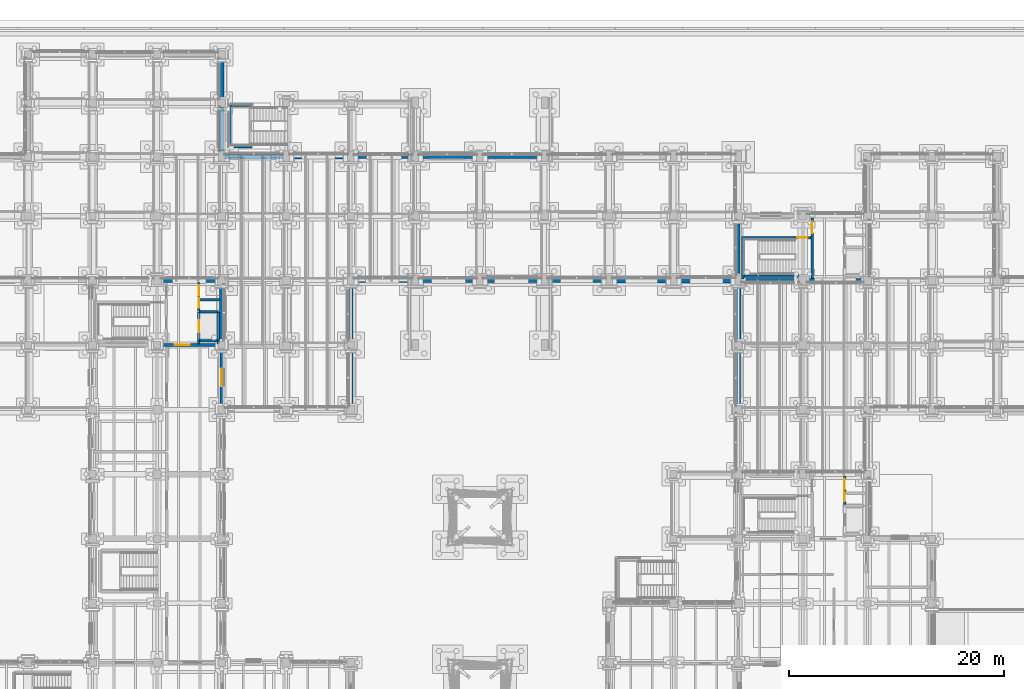
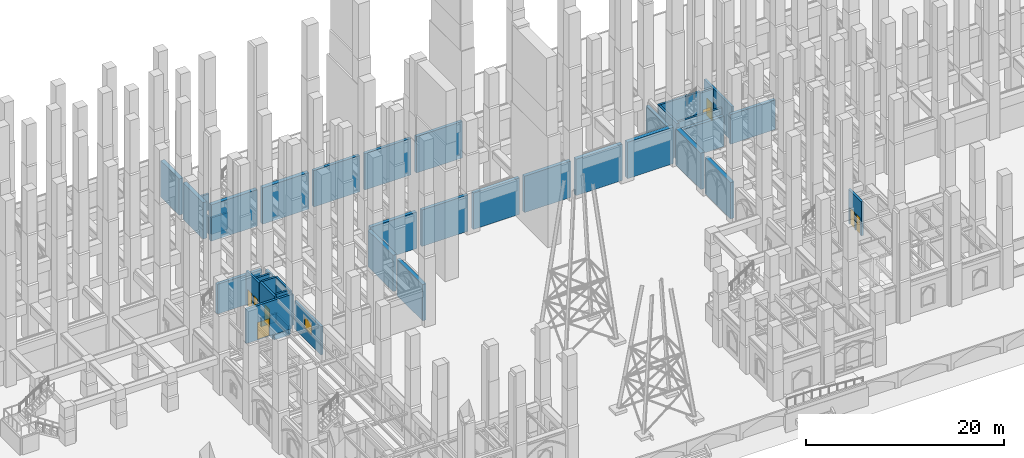
# One storey, part 65 of 135: 43 walls, 8 doors, 1 window, 9 openings.
"""IFC4 building model written with IfcOpenShell, lengths in metres."""

from ifc_helpers import new_model, si_unit, direction, frame, frame_2d, origin, place, context, subcontext, project, spatial, rectangle, extrude, material, layer, layer_set, type_object, element, fill, save


model = new_model("IFC4")

# Units and contexts
model_context = context("Model", 3, precision=1e-05, world=origin(), true_north=direction((0.0, 1.0)))
body_context = subcontext(model_context, "Body", "Model", "MODEL_VIEW")
ifc_project = project(units=[si_unit("LENGTHUNIT", "METRE"), si_unit("AREAUNIT", "SQUARE_METRE"), si_unit("VOLUMEUNIT", "CUBIC_METRE"), si_unit("PLANEANGLEUNIT", "RADIAN"), si_unit("MASSUNIT", "GRAM", prefix="KILO")], contexts=[model_context])

# Site, building, storey
site_placement = place(None, origin())
site = spatial("IfcSite", under=ifc_project, at=site_placement, CompositionType="ELEMENT")
building_placement = place(site_placement, origin())
building = spatial("IfcBuilding", under=site, at=building_placement, Name="Cumevento Cable Car Station", CompositionType="ELEMENT")
storey_placement = place(building_placement, origin())
storey = spatial("IfcBuildingStorey", under=building, at=storey_placement, Name="L01", CompositionType="ELEMENT", Elevation=0.0)

# Wall, opening, window
ifc_material_1 = material(Name="Gnaisse Facoidal Stone Ashlar 85 MPa", Category="masonry")
ifc_layer_1 = layer(ifc_material_1, 0.264892578125)
ifc_layer_set_1 = layer_set([ifc_layer_1], Name="Gnaisse Facoidal Stone Ashlar 85 MPa")
wall_type_1 = type_object("IfcWallType", Name="Exterior Envelope Wall EW-265 265", PredefinedType="SOLIDWALL", material=ifc_layer_set_1)
wall_1_placement = place(storey_placement, frame((70.0, 38.675048828125, 0.0), z_axis=(0.0, 0.0, 1.0), x_axis=(0.0, -1.0, 0.0)))
wall_1 = element("IfcWall", 1, at=wall_1_placement, inside=storey, type_object=wall_type_1, Name="Exterior Wall EW-265 L01 #39", PredefinedType="SOLIDWALL", context=body_context, shape_type="SweptSolid", body=[
    extrude(rectangle(XDim=5.324951171875, YDim=0.264892578125, at=frame_2d((2.66259765625, 0.0))), origin(), (0.0, 0.0, 1.0), 3.501953125),
])
opening_1_placement = place(wall_1_placement, frame((1.9375, 0.0, 1.300048828125)))
opening_1 = element("IfcOpeningElement", 2, at=opening_1_placement, cuts=wall_1, Name="Opening WN-L01-020", PredefinedType="OPENING", context=body_context, shape_type="SweptSolid", body=[
    extrude(rectangle(XDim=1.449951171875, YDim=1.449951171875, at=frame_2d((0.72509765625, 0.72509765625))), frame((0.0, 0.142333984375, 0.0), z_axis=(0.0, -1.0, 0.0), x_axis=(1.0, 0.0, 0.0)), (0.0, 0.0, 1.0), 0.284912109375),
])
ifc_material_2 = material(Name="Anodised Bronze Aluminium & Laminated Solar Glass", Category="aluminium")
window_type = type_object("IfcWindowType", Name="Lancet Window WN-20 1450x1450", PartitioningType="SINGLE_PANEL", PredefinedType="WINDOW", material=ifc_material_2)
window_placement = place(opening_1_placement, origin())
window = element("IfcWindow", 3, at=window_placement, inside=storey, type_object=window_type, Name="Lancet Window WN-L01-020 (WN-20)", OverallHeight=1.449951171875, OverallWidth=1.449951171875, PartitioningType="SINGLE_PANEL", PredefinedType="WINDOW", context=body_context, shape_type="SweptSolid", body=[
    extrude(rectangle(XDim=1.449951171875, YDim=1.449951171875, at=frame_2d((0.72509765625, 0.72509765625))), frame((0.0, 0.030029296875, 0.0), z_axis=(0.0, -1.0, 0.0), x_axis=(1.0, 0.0, 0.0)), (0.0, 0.0, 1.0), 0.06005859375),
])
fill(opening_1, window)

# Walls
ifc_material_3 = material(Name="Concrete C40/50", Category="concrete")
ifc_layer_2 = layer(ifc_material_3, 0.35498046875)
ifc_layer_set_2 = layer_set([ifc_layer_2], Name="Concrete C40/50")
wall_type_2 = type_object("IfcWallType", Name="Exterior Envelope Wall EW-355 355", PredefinedType="SOLIDWALL", material=ifc_layer_set_2)
wall_2_placement = place(storey_placement, frame((64.39990234375, 45.0, 0.0), z_axis=(0.0, 0.0, 1.0), x_axis=(1.0, 0.0, 0.0)))
element("IfcWall", 4, at=wall_2_placement, inside=storey, type_object=wall_type_2, Name="Exterior Wall EW-355 L01 #41", PredefinedType="SOLIDWALL", context=body_context, shape_type="SweptSolid", body=[
    extrude(rectangle(XDim=5.2001953125, YDim=0.35498046875, at=frame_2d((2.60009765625, 0.0))), origin(), (0.0, 0.0, 1.0), 3.697021484375),
])
wall_3_placement = place(storey_placement, frame((70.0, 44.60009765625, 0.0), z_axis=(0.0, 0.0, 1.0), x_axis=(0.0, -1.0, 0.0)))
element("IfcWall", 5, at=wall_3_placement, inside=storey, type_object=wall_type_2, Name="Exterior Wall EW-355 L01 #43", PredefinedType="SOLIDWALL", context=body_context, shape_type="SweptSolid", body=[
    extrude(rectangle(XDim=5.275146484375, YDim=0.35498046875, at=frame_2d((2.6376953125, 0.0))), origin(), (0.0, 0.0, 1.0), 3.756103515625),
])
wall_4_placement = place(storey_placement, frame((123.60009765625, 45.0, 0.0), z_axis=(0.0, 0.0, 1.0), x_axis=(-1.0, 0.0, 0.0)))
element("IfcWall", 6, at=wall_4_placement, inside=storey, type_object=wall_type_2, Name="Exterior Wall EW-355 L01 #75", PredefinedType="SOLIDWALL", context=body_context, shape_type="SweptSolid", body=[
    extrude(rectangle(XDim=5.300048828125, YDim=0.35498046875, at=frame_2d((2.64990234375, 0.0))), origin(), (0.0, 0.0, 1.0), 3.7470703125),
])
wall_5_placement = place(storey_placement, frame((129.625, 45.0, 0.0), z_axis=(0.0, 0.0, 1.0), x_axis=(-1.0, 0.0, 0.0)))
element("IfcWall", 7, at=wall_5_placement, inside=storey, type_object=wall_type_2, Name="Exterior Wall EW-355 L01 #77", PredefinedType="SOLIDWALL", context=body_context, shape_type="SweptSolid", body=[
    extrude(rectangle(XDim=5.22509765625, YDim=0.35498046875, at=frame_2d((2.612548828125, 0.0))), origin(), (0.0, 0.0, 1.0), 3.6708984375),
])
wall_6_placement = place(storey_placement, frame((118.0, 45.52490234375, 0.0), z_axis=(0.0, 0.0, 1.0), x_axis=(0.0, 1.0, 0.0)))
element("IfcWall", 8, at=wall_6_placement, inside=storey, type_object=wall_type_2, Name="Exterior Wall EW-355 L01 #79", PredefinedType="SOLIDWALL", context=body_context, shape_type="SweptSolid", body=[
    extrude(rectangle(XDim=5.10009765625, YDim=0.35498046875, at=frame_2d((2.550048828125, 0.0))), origin(), (0.0, 0.0, 1.0), 3.56005859375),
])
ifc_material_4 = material(Name="Concrete C40/50", Category="concrete")
ifc_layer_3 = layer(ifc_material_4, 0.22998046875)
ifc_layer_set_3 = layer_set([ifc_layer_3], Name="Concrete C40/50")
wall_type_3 = type_object("IfcWallType", Name="Interior Shear Wall CW-230 230", PredefinedType="SHEAR", material=ifc_layer_set_3)
wall_7_placement = place(storey_placement, frame((67.8798828125, 39.419921875, -1.050048828125), z_axis=(0.0, 0.0, 1.0), x_axis=(1.0, 0.0, 0.0)))
element("IfcWall", 9, at=wall_7_placement, inside=storey, type_object=wall_type_3, Name="Interior Wall CW-230 L01 #133", PredefinedType="SHEAR", context=body_context, shape_type="SweptSolid", body=[
    extrude(rectangle(XDim=1.820068359375, YDim=0.22998046875, at=frame_2d((0.91015625, 0.0))), origin(), (0.0, 0.0, 1.0), 1.050048828125),
])
wall_8_placement = place(storey_placement, frame((69.699951171875, 39.419921875, -1.050048828125), z_axis=(0.0, 0.0, 1.0), x_axis=(0.0, 1.0, 0.0)))
element("IfcWall", 10, at=wall_8_placement, inside=storey, type_object=wall_type_3, Name="Interior Wall CW-230 L01 #134", PredefinedType="SHEAR", context=body_context, shape_type="SweptSolid", body=[
    extrude(rectangle(XDim=2.66015625, YDim=0.22998046875, at=frame_2d((1.330078125, 0.0))), origin(), (0.0, 0.0, 1.0), 1.050048828125),
])
wall_9_placement = place(storey_placement, frame((69.699951171875, 42.080078125, -1.050048828125), z_axis=(0.0, 0.0, 1.0), x_axis=(-1.0, 0.0, 0.0)))
element("IfcWall", 11, at=wall_9_placement, inside=storey, type_object=wall_type_3, Name="Interior Wall CW-230 L01 #135", PredefinedType="SHEAR", context=body_context, shape_type="SweptSolid", body=[
    extrude(rectangle(XDim=1.820068359375, YDim=0.22998046875, at=frame_2d((0.91015625, 0.0))), origin(), (0.0, 0.0, 1.0), 1.050048828125),
])
wall_10_placement = place(storey_placement, frame((67.8798828125, 42.080078125, -1.050048828125), z_axis=(0.0, 0.0, 1.0), x_axis=(0.0, -1.0, 0.0)))
element("IfcWall", 12, at=wall_10_placement, inside=storey, type_object=wall_type_3, Name="Interior Wall CW-230 L01 #136", PredefinedType="SHEAR", context=body_context, shape_type="SweptSolid", body=[
    extrude(rectangle(XDim=2.66015625, YDim=0.22998046875, at=frame_2d((1.330078125, 0.0))), origin(), (0.0, 0.0, 1.0), 1.050048828125),
])
wall_11_placement = place(storey_placement, frame((68.0048828125, 39.419921875, 0.0), z_axis=(0.0, 0.0, 1.0), x_axis=(1.0, 0.0, 0.0)))
element("IfcWall", 13, at=wall_11_placement, inside=storey, type_object=wall_type_3, Name="Interior Wall CW-230 L01 #149", PredefinedType="SHEAR", context=body_context, shape_type="SweptSolid", body=[
    extrude(rectangle(XDim=1.580078125, YDim=0.22998046875, at=frame_2d((0.7900390625, 0.0))), origin(), (0.0, 0.0, 1.0), 4.5),
])
wall_12_placement = place(storey_placement, frame((69.699951171875, 39.114990234375, 0.0), z_axis=(0.0, 0.0, 1.0), x_axis=(0.0, 1.0, 0.0)))
element("IfcWall", 14, at=wall_12_placement, inside=storey, type_object=wall_type_3, Name="Interior Wall CW-230 L01 #150", PredefinedType="SHEAR", context=body_context, shape_type="SweptSolid", body=[
    extrude(rectangle(XDim=2.965087890625, YDim=0.22998046875, at=frame_2d((1.482421875, 0.0))), origin(), (0.0, 0.0, 1.0), 4.5),
])
wall_13_placement = place(storey_placement, frame((68.0048828125, 42.080078125, 0.0), z_axis=(0.0, 0.0, 1.0), x_axis=(1.0, 0.0, 0.0)))
element("IfcWall", 15, at=wall_13_placement, inside=storey, type_object=wall_type_3, Name="Interior Wall CW-230 L01 #151", PredefinedType="SHEAR", context=body_context, shape_type="SweptSolid", body=[
    extrude(rectangle(XDim=1.580078125, YDim=0.22998046875, at=frame_2d((0.7900390625, 0.0))), origin(), (0.0, 0.0, 1.0), 4.5),
])
wall_14_placement = place(storey_placement, frame((68.0048828125, 43.219970703125, 0.0), z_axis=(0.0, 0.0, 1.0), x_axis=(1.0, 0.0, 0.0)))
element("IfcWall", 16, at=wall_14_placement, inside=storey, type_object=wall_type_3, Name="Interior Wall CW-230 L01 #153", PredefinedType="SHEAR", context=body_context, shape_type="SweptSolid", body=[
    extrude(rectangle(XDim=1.820068359375, YDim=0.22998046875, at=frame_2d((0.91015625, 0.0))), origin(), (0.0, 0.0, 1.0), 4.239990234375),
])
wall_15_placement = place(storey_placement, frame((118.405029296875, 45.114990234375, 0.0), z_axis=(0.0, 0.0, 1.0), x_axis=(0.0, 1.0, 0.0)))
element("IfcWall", 17, at=wall_15_placement, inside=storey, type_object=wall_type_3, Name="Interior Wall CW-230 L01 #470", PredefinedType="SHEAR", context=body_context, shape_type="SweptSolid", body=[
    extrude(rectangle(XDim=3.735107421875, YDim=0.22998046875, at=frame_2d((1.86767578125, 0.0))), origin(), (0.0, 0.0, 1.0), 4.5),
])
wall_16_placement = place(storey_placement, frame((118.52001953125, 45.405029296875, 0.0), z_axis=(0.0, 0.0, 1.0), x_axis=(1.0, 0.0, 0.0)))
element("IfcWall", 18, at=wall_16_placement, inside=storey, type_object=wall_type_3, Name="Interior Wall CW-230 L01 #471", PredefinedType="SHEAR", context=body_context, shape_type="SweptSolid", body=[
    extrude(rectangle(XDim=5.1298828125, YDim=0.22998046875, at=frame_2d((2.56494140625, 0.0))), origin(), (0.0, 0.0, 1.0), 4.5),
])
wall_17_placement = place(storey_placement, frame((70.780029296875, 57.429931640625, 0.0), z_axis=(0.0, 0.0, 1.0), x_axis=(0.0, 1.0, 0.0)))
element("IfcWall", 19, at=wall_17_placement, inside=storey, type_object=wall_type_3, Name="Interior Wall CW-230 L01 #554", PredefinedType="SHEAR", context=body_context, shape_type="SweptSolid", body=[
    extrude(rectangle(XDim=3.840087890625, YDim=0.22998046875, at=frame_2d((1.919921875, 0.0))), origin(), (0.0, 0.0, 1.0), 2.04296875),
])
for number, where, z_axis, x_axis, name in (
    (20, (70.89990234375, 57.429931640625, 0.0), (0.0, 0.0, 1.0), (1.0, 0.0, 0.0), "Interior Wall CW-230 L01 #555"),
    (21, (70.89990234375, 61.27001953125, 0.0), (0.0, 0.0, 1.0), (1.0, 0.0, 0.0), "Interior Wall CW-230 L01 #556"),
):
    element("IfcWall", number, at=place(storey_placement, frame(where, z_axis=z_axis, x_axis=x_axis)), inside=storey, type_object=wall_type_3, Name=name, PredefinedType="SHEAR", context=body_context, shape_type="SweptSolid", body=[
        extrude(rectangle(XDim=1.940185546875, YDim=0.22998046875, at=frame_2d((0.97021484375, 0.0))), origin(), (0.0, 0.0, 1.0), 2.04296875),
    ])

# Wall, opening, door
ifc_material_5 = material(Name="Concrete C40/50", Category="concrete")
ifc_layer_4 = layer(ifc_material_5, 0.25)
ifc_layer_set_4 = layer_set([ifc_layer_4], Name="Concrete C40/50")
wall_type_4 = type_object("IfcWallType", Name="Interior Shear Wall CW-250 250", PredefinedType="SHEAR", material=ifc_layer_set_4)
wall_18_placement = place(storey_placement, frame((67.8798828125, 39.114990234375, 0.0), z_axis=(0.0, 0.0, 1.0), x_axis=(0.0, 1.0, 0.0)))
wall_18 = element("IfcWall", 22, at=wall_18_placement, inside=storey, type_object=wall_type_4, Name="Interior Wall CW-250 L01 #148", PredefinedType="SHEAR", context=body_context, shape_type="SweptSolid", body=[
    extrude(rectangle(XDim=2.965087890625, YDim=0.25, at=frame_2d((1.482421875, 0.0))), origin(), (0.0, 0.0, 1.0), 4.5),
])
opening_2_placement = place(wall_18_placement, frame((1.094970703125, 0.0, 0.0)))
opening_2 = element("IfcOpeningElement", 23, at=opening_2_placement, cuts=wall_18, Name="Opening LD-LF01-L01", PredefinedType="OPENING", context=body_context, shape_type="SweptSolid", body=[
    extrude(rectangle(XDim=1.080078125, YDim=2.14990234375, at=frame_2d((0.5400390625, 1.074951171875))), frame((0.0, 0.135009765625, 0.0), z_axis=(0.0, -1.0, 0.0), x_axis=(1.0, 0.0, 0.0)), (0.0, 0.0, 1.0), 0.27001953125),
])
ifc_material_6 = material(Name="Brushed Stainless Steel Lift Door", Category="steel")
door_type_1 = type_object("IfcDoorType", Name="Interior Door LD-01 1080x2150", OperationType="NOTDEFINED", PredefinedType="DOOR", material=ifc_material_6)
door_1_placement = place(opening_2_placement, origin())
door_1 = element("IfcDoor", 24, at=door_1_placement, inside=storey, type_object=door_type_1, Name="Lift Landing Door LD-LF01-L01", OperationType="DOUBLE_DOOR_SLIDING", OverallHeight=2.14990234375, OverallWidth=1.080078125, PredefinedType="DOOR", context=body_context, shape_type="SweptSolid", body=[
    extrude(rectangle(XDim=1.080078125, YDim=2.14990234375, at=frame_2d((0.5400390625, 1.074951171875))), frame((0.0, 0.02490234375, 0.0), z_axis=(0.0, -1.0, 0.0), x_axis=(1.0, 0.0, 0.0)), (0.0, 0.0, 1.0), 0.050048828125),
])
fill(opening_2, door_1)

# Wall, openings, doors
wall_19_placement = place(storey_placement, frame((67.8798828125, 42.199951171875, 0.0), z_axis=(0.0, 0.0, 1.0), x_axis=(0.0, 1.0, 0.0)))
wall_19 = element("IfcWall", 25, at=wall_19_placement, inside=storey, type_object=wall_type_4, Name="Interior Wall CW-250 L01 #152", PredefinedType="SHEAR", context=body_context, shape_type="SweptSolid", body=[
    extrude(rectangle(XDim=2.625, YDim=0.25, at=frame_2d((1.3125, 0.0))), origin(), (0.0, 0.0, 1.0), 4.239990234375),
])
opening_3_placement = place(wall_19_placement, frame((0.280029296875, 0.0, 0.0)))
opening_3 = element("IfcOpeningElement", 26, at=opening_3_placement, cuts=wall_19, Name="Opening DR-L01-006", PredefinedType="OPENING", context=body_context, shape_type="SweptSolid", body=[
    extrude(rectangle(XDim=0.8798828125, YDim=2.080078125, at=frame_2d((0.43994140625, 1.0400390625))), frame((0.0, 0.135009765625, 0.0), z_axis=(0.0, -1.0, 0.0), x_axis=(1.0, 0.0, 0.0)), (0.0, 0.0, 1.0), 0.27001953125),
])
opening_4_placement = place(wall_19_placement, frame((1.39990234375, 0.0, 0.0)))
opening_4 = element("IfcOpeningElement", 27, at=opening_4_placement, cuts=wall_19, Name="Opening DR-L01-007", PredefinedType="OPENING", context=body_context, shape_type="SweptSolid", body=[
    extrude(rectangle(XDim=0.9599609375, YDim=2.1201171875, at=frame_2d((0.47998046875, 1.06005859375))), frame((0.0, 0.135009765625, 0.0), z_axis=(0.0, -1.0, 0.0), x_axis=(1.0, 0.0, 0.0)), (0.0, 0.0, 1.0), 0.27001953125),
])
ifc_material_7 = material(Name="Galvanised Painted Steel Fire Door", Category="steel")
door_type_2 = type_object("IfcDoorType", Name="Interior Door FD-01 960x2120", OperationType="NOTDEFINED", PredefinedType="DOOR", material=ifc_material_7)
door_2_placement = place(opening_4_placement, origin())
door_2 = element("IfcDoor", 28, at=door_2_placement, inside=storey, type_object=door_type_2, Name="East Vestibule Lobby Door CORE1 L01", OperationType="SINGLE_SWING_LEFT", OverallHeight=2.1201171875, OverallWidth=0.9599609375, PredefinedType="DOOR", context=body_context, shape_type="SweptSolid", body=[
    extrude(rectangle(XDim=0.9599609375, YDim=2.1201171875, at=frame_2d((0.47998046875, 1.06005859375))), frame((0.0, 0.02490234375, 0.0), z_axis=(0.0, -1.0, 0.0), x_axis=(1.0, 0.0, 0.0)), (0.0, 0.0, 1.0), 0.050048828125),
])
fill(opening_4, door_2)
ifc_material_8 = material(Name="Galvanised Painted Steel Fire Door", Category="steel")
door_type_3 = type_object("IfcDoorType", Name="Interior Door FD-07 880x2080", OperationType="NOTDEFINED", PredefinedType="DOOR", material=ifc_material_8)
door_3_placement = place(opening_3_placement, origin())
door_3 = element("IfcDoor", 29, at=door_3_placement, inside=storey, type_object=door_type_3, Name="MEP Riser Access Door CORE1 L01", OperationType="SINGLE_SWING_RIGHT", OverallHeight=2.080078125, OverallWidth=0.8798828125, PredefinedType="DOOR", context=body_context, shape_type="SweptSolid", body=[
    extrude(rectangle(XDim=0.8798828125, YDim=2.080078125, at=frame_2d((0.43994140625, 1.0400390625))), frame((0.0, 0.02490234375, 0.0), z_axis=(0.0, -1.0, 0.0), x_axis=(1.0, 0.0, 0.0)), (0.0, 0.0, 1.0), 0.050048828125),
])
fill(opening_3, door_3)

wall_20_placement = place(storey_placement, frame((127.8798828125, 24.199951171875, 0.0), z_axis=(0.0, 0.0, 1.0), x_axis=(0.0, 1.0, 0.0)))
wall_20 = element("IfcWall", 30, at=wall_20_placement, inside=storey, type_object=wall_type_4, Name="Interior Wall CW-250 L01 #417", PredefinedType="SHEAR", context=body_context, shape_type="SweptSolid", body=[
    extrude(rectangle(XDim=2.625, YDim=0.25, at=frame_2d((1.3125, 0.0))), origin(), (0.0, 0.0, 1.0), 4.216064453125),
])
opening_5_placement = place(wall_20_placement, frame((0.280029296875, 0.0, 0.0)))
opening_5 = element("IfcOpeningElement", 31, at=opening_5_placement, cuts=wall_20, Name="Opening DR-L01-128", PredefinedType="OPENING", context=body_context, shape_type="SweptSolid", body=[
    extrude(rectangle(XDim=0.8798828125, YDim=2.080078125, at=frame_2d((0.43994140625, 1.0400390625))), frame((0.0, 0.135009765625, 0.0), z_axis=(0.0, -1.0, 0.0), x_axis=(1.0, 0.0, 0.0)), (0.0, 0.0, 1.0), 0.27001953125),
])
opening_6_placement = place(wall_20_placement, frame((1.39990234375, 0.0, 0.0)))
opening_6 = element("IfcOpeningElement", 32, at=opening_6_placement, cuts=wall_20, Name="Opening DR-L01-129", PredefinedType="OPENING", context=body_context, shape_type="SweptSolid", body=[
    extrude(rectangle(XDim=0.9599609375, YDim=2.1201171875, at=frame_2d((0.47998046875, 1.06005859375))), frame((0.0, 0.135009765625, 0.0), z_axis=(0.0, -1.0, 0.0), x_axis=(1.0, 0.0, 0.0)), (0.0, 0.0, 1.0), 0.27001953125),
])
door_4_placement = place(opening_6_placement, origin())
door_4 = element("IfcDoor", 33, at=door_4_placement, inside=storey, type_object=door_type_2, Name="East Vestibule Lobby Door CORE5 L01", OperationType="SINGLE_SWING_LEFT", OverallHeight=2.1201171875, OverallWidth=0.9599609375, PredefinedType="DOOR", context=body_context, shape_type="SweptSolid", body=[
    extrude(rectangle(XDim=0.9599609375, YDim=2.1201171875, at=frame_2d((0.47998046875, 1.06005859375))), frame((0.0, 0.02490234375, 0.0), z_axis=(0.0, -1.0, 0.0), x_axis=(1.0, 0.0, 0.0)), (0.0, 0.0, 1.0), 0.050048828125),
])
fill(opening_6, door_4)
door_5_placement = place(opening_5_placement, origin())
door_5 = element("IfcDoor", 34, at=door_5_placement, inside=storey, type_object=door_type_3, Name="MEP Riser Access Door CORE5 L01", OperationType="SINGLE_SWING_RIGHT", OverallHeight=2.080078125, OverallWidth=0.8798828125, PredefinedType="DOOR", context=body_context, shape_type="SweptSolid", body=[
    extrude(rectangle(XDim=0.8798828125, YDim=2.080078125, at=frame_2d((0.43994140625, 1.0400390625))), frame((0.0, 0.02490234375, 0.0), z_axis=(0.0, -1.0, 0.0), x_axis=(1.0, 0.0, 0.0)), (0.0, 0.0, 1.0), 0.050048828125),
])
fill(opening_5, door_5)

# Wall
wall_21_placement = place(storey_placement, frame((118.2900390625, 48.97509765625, 0.0), z_axis=(0.0, 0.0, 1.0), x_axis=(1.0, 0.0, 0.0)))
element("IfcWall", 35, at=wall_21_placement, inside=storey, type_object=wall_type_4, Name="Interior Wall CW-250 L01 #472", PredefinedType="SHEAR", context=body_context, shape_type="SweptSolid", body=[
    extrude(rectangle(XDim=4.869873046875, YDim=0.25, at=frame_2d((2.43505859375, 0.0))), origin(), (0.0, 0.0, 1.0), 4.5),
])

# Wall, opening, door
wall_22_placement = place(storey_placement, frame((123.159912109375, 48.97509765625, 0.0), z_axis=(0.0, 0.0, 1.0), x_axis=(1.0, 0.0, 0.0)))
wall_22 = element("IfcWall", 36, at=wall_22_placement, inside=storey, type_object=wall_type_4, Name="Interior Wall CW-250 L01 #473", PredefinedType="SHEAR", context=body_context, shape_type="SweptSolid", body=[
    extrude(rectangle(XDim=1.580078125, YDim=0.25, at=frame_2d((0.7900390625, 0.0))), origin(), (0.0, 0.0, 1.0), 4.2880859375),
])
opening_7_placement = place(wall_22_placement, frame((0.31005859375, 0.0, 0.0)))
opening_7 = element("IfcOpeningElement", 37, at=opening_7_placement, cuts=wall_22, Name="Opening DR-L01-153", PredefinedType="OPENING", context=body_context, shape_type="SweptSolid", body=[
    extrude(rectangle(XDim=0.9599609375, YDim=2.1201171875, at=frame_2d((0.47998046875, 1.06005859375))), frame((0.0, 0.135009765625, 0.0), z_axis=(0.0, -1.0, 0.0), x_axis=(1.0, 0.0, 0.0)), (0.0, 0.0, 1.0), 0.27001953125),
])
door_6_placement = place(opening_7_placement, origin())
door_6 = element("IfcDoor", 38, at=door_6_placement, inside=storey, type_object=door_type_2, Name="Stair ST-06 Enclosure Door L01", OperationType="SINGLE_SWING_LEFT", OverallHeight=2.1201171875, OverallWidth=0.9599609375, PredefinedType="DOOR", context=body_context, shape_type="SweptSolid", body=[
    extrude(rectangle(XDim=0.9599609375, YDim=2.1201171875, at=frame_2d((0.47998046875, 1.06005859375))), frame((0.0, 0.02490234375, 0.0), z_axis=(0.0, -1.0, 0.0), x_axis=(1.0, 0.0, 0.0)), (0.0, 0.0, 1.0), 0.050048828125),
])
fill(opening_7, door_6)

wall_23_placement = place(storey_placement, frame((124.864990234375, 45.175048828125, 0.0), z_axis=(0.0, 0.0, 1.0), x_axis=(0.0, 1.0, 0.0)))
wall_23 = element("IfcWall", 39, at=wall_23_placement, inside=storey, type_object=wall_type_4, Name="Interior Wall CW-250 L01 #474", PredefinedType="SHEAR", context=body_context, shape_type="SweptSolid", body=[
    extrude(rectangle(XDim=5.64990234375, YDim=0.25, at=frame_2d((2.824951171875, 0.0))), origin(), (0.0, 0.0, 1.0), 4.2880859375),
])
opening_8_placement = place(wall_23_placement, frame((4.22509765625, 0.0, 0.0)))
opening_8 = element("IfcOpeningElement", 40, at=opening_8_placement, cuts=wall_23, Name="Opening DR-L01-154", PredefinedType="OPENING", context=body_context, shape_type="SweptSolid", body=[
    extrude(rectangle(XDim=1.0400390625, YDim=2.139892578125, at=frame_2d((0.52001953125, 1.06982421875))), frame((0.0, 0.135009765625, 0.0), z_axis=(0.0, -1.0, 0.0), x_axis=(1.0, 0.0, 0.0)), (0.0, 0.0, 1.0), 0.27001953125),
])
ifc_material_9 = material(Name="Galvanised Painted Steel Fire Door", Category="steel")
door_type_4 = type_object("IfcDoorType", Name="Interior Door FD-02 1040x2140", OperationType="NOTDEFINED", PredefinedType="DOOR", material=ifc_material_9)
door_7_placement = place(opening_8_placement, origin())
door_7 = element("IfcDoor", 41, at=door_7_placement, inside=storey, type_object=door_type_4, Name="Lobby Vestibule Door CORE6 L01", OperationType="SINGLE_SWING_RIGHT", OverallHeight=2.139892578125, OverallWidth=1.0400390625, PredefinedType="DOOR", context=body_context, shape_type="SweptSolid", body=[
    extrude(rectangle(XDim=1.0400390625, YDim=2.139892578125, at=frame_2d((0.52001953125, 1.06982421875))), frame((0.0, 0.02490234375, 0.0), z_axis=(0.0, -1.0, 0.0), x_axis=(1.0, 0.0, 0.0)), (0.0, 0.0, 1.0), 0.050048828125),
])
fill(opening_8, door_7)

ifc_material_10 = material(Name="Concrete C40/50", Category="concrete")
ifc_layer_5 = layer(ifc_material_10, 0.27490234375)
ifc_layer_set_5 = layer_set([ifc_layer_5], Name="Concrete C40/50")
wall_type_5 = type_object("IfcWallType", Name="Interior Shear Wall CW-275 275", PredefinedType="SHEAR", material=ifc_layer_set_5)
wall_24_placement = place(storey_placement, frame((64.324951171875, 39.0, 0.0), z_axis=(0.0, 0.0, 1.0), x_axis=(1.0, 0.0, 0.0)))
wall_24 = element("IfcWall", 42, at=wall_24_placement, inside=storey, type_object=wall_type_5, Name="Interior Wall CW-275 L01 #142", PredefinedType="SHEAR", context=body_context, shape_type="SweptSolid", body=[
    extrude(rectangle(XDim=5.35009765625, YDim=0.27490234375, at=frame_2d((2.675048828125, 0.0))), origin(), (0.0, 0.0, 1.0), 4.239990234375),
])
opening_9_placement = place(wall_24_placement, frame((1.3349609375, 0.0, 0.0)))
opening_9 = element("IfcOpeningElement", 43, at=opening_9_placement, cuts=wall_24, Name="Opening DR-L01-001", PredefinedType="OPENING", context=body_context, shape_type="SweptSolid", body=[
    extrude(rectangle(XDim=1.3798828125, YDim=2.159912109375, at=frame_2d((0.68994140625, 1.080078125))), frame((0.0, 0.1474609375, 0.0), z_axis=(0.0, -1.0, 0.0), x_axis=(1.0, 0.0, 0.0)), (0.0, 0.0, 1.0), 0.294921875),
])
ifc_material_11 = material(Name="Galvanised Painted Steel Fire Door", Category="steel")
door_type_5 = type_object("IfcDoorType", Name="Interior Door FD-04 1380x2160", OperationType="NOTDEFINED", PredefinedType="DOOR", material=ifc_material_11)
door_8_placement = place(opening_9_placement, origin())
door_8 = element("IfcDoor", 44, at=door_8_placement, inside=storey, type_object=door_type_5, Name="Core CORE1 S_lobby Fire Door L01", OperationType="DOUBLE_DOOR_SINGLE_SWING", OverallHeight=2.159912109375, OverallWidth=1.3798828125, PredefinedType="DOOR", context=body_context, shape_type="SweptSolid", body=[
    extrude(rectangle(XDim=1.3798828125, YDim=2.159912109375, at=frame_2d((0.68994140625, 1.080078125))), frame((0.0, 0.02490234375, 0.0), z_axis=(0.0, -1.0, 0.0), x_axis=(1.0, 0.0, 0.0)), (0.0, 0.0, 1.0), 0.050048828125),
])
fill(opening_9, door_8)

# Walls
ifc_material_12 = material(Name="Concrete C40/50", Category="concrete")
ifc_layer_6 = layer(ifc_material_12, 0.340087890625)
ifc_layer_set_6 = layer_set([ifc_layer_6], Name="Concrete C40/50")
wall_type_6 = type_object("IfcWallType", Name="Retaining Wall RW-340 340", PredefinedType="USERDEFINED", material=ifc_layer_set_6)
for number, where, z_axis, x_axis, name in (
    (45, (82.300048828125, 56.5, 0.0), (0.0, 0.0, 1.0), (1.0, 0.0, 0.0), "Retaining Wall RW-340 L01 #36"),
    (46, (88.300048828125, 56.5, 0.0), (0.0, 0.0, 1.0), (1.0, 0.0, 0.0), "Retaining Wall RW-340 L01 #42"),
):
    element("IfcWall", number, at=place(storey_placement, frame(where, z_axis=z_axis, x_axis=x_axis)), inside=storey, type_object=wall_type_6, Name=name, ObjectType="RETAININGWALL", PredefinedType="USERDEFINED", context=body_context, shape_type="SweptSolid", body=[
        extrude(rectangle(XDim=5.39990234375, YDim=0.340087890625, at=frame_2d((2.699951171875, 0.0))), origin(), (0.0, 0.0, 1.0), 4.5),
    ])
ifc_material_13 = material(Name="Concrete C40/50", Category="concrete")
ifc_layer_7 = layer(ifc_material_13, 0.360107421875)
ifc_layer_set_7 = layer_set([ifc_layer_7], Name="Concrete C40/50")
wall_type_7 = type_object("IfcWallType", Name="Retaining Wall RW-360 360", PredefinedType="USERDEFINED", material=ifc_layer_set_7)
for number, where, z_axis, x_axis, name in (
    (47, (88.300048828125, 45.0, 0.0), (0.0, 0.0, 1.0), (1.0, 0.0, 0.0), "Retaining Wall RW-360 L01 #37"),
    (48, (94.300048828125, 56.5, 0.0), (0.0, 0.0, 1.0), (1.0, 0.0, 0.0), "Retaining Wall RW-360 L01 #43"),
):
    element("IfcWall", number, at=place(storey_placement, frame(where, z_axis=z_axis, x_axis=x_axis)), inside=storey, type_object=wall_type_7, Name=name, ObjectType="RETAININGWALL", PredefinedType="USERDEFINED", context=body_context, shape_type="SweptSolid", body=[
        extrude(rectangle(XDim=5.39990234375, YDim=0.360107421875, at=frame_2d((2.699951171875, 0.0))), origin(), (0.0, 0.0, 1.0), 4.5),
    ])
ifc_material_14 = material(Name="Concrete C40/50", Category="concrete")
ifc_layer_8 = layer(ifc_material_14, 0.385009765625)
ifc_layer_set_8 = layer_set([ifc_layer_8], Name="Concrete C40/50")
wall_type_8 = type_object("IfcWallType", Name="Retaining Wall RW-385 385", PredefinedType="USERDEFINED", material=ifc_layer_set_8)
wall_25_placement = place(storey_placement, frame((94.300048828125, 45.0, 0.0), z_axis=(0.0, 0.0, 1.0), x_axis=(1.0, 0.0, 0.0)))
element("IfcWall", 49, at=wall_25_placement, inside=storey, type_object=wall_type_8, Name="Retaining Wall RW-385 L01 #38", ObjectType="RETAININGWALL", PredefinedType="USERDEFINED", context=body_context, shape_type="SweptSolid", body=[
    extrude(rectangle(XDim=5.39990234375, YDim=0.385009765625, at=frame_2d((2.699951171875, 0.0))), origin(), (0.0, 0.0, 1.0), 4.5),
])
ifc_material_15 = material(Name="Concrete C40/50", Category="concrete")
ifc_layer_9 = layer(ifc_material_15, 0.409912109375)
ifc_layer_set_9 = layer_set([ifc_layer_9], Name="Concrete C40/50")
wall_type_9 = type_object("IfcWallType", Name="Retaining Wall RW-410 410", PredefinedType="USERDEFINED", material=ifc_layer_set_9)
wall_26_placement = place(storey_placement, frame((82.0, 33.39990234375, 0.0), z_axis=(0.0, 0.0, 1.0), x_axis=(0.0, 1.0, 0.0)))
element("IfcWall", 50, at=wall_26_placement, inside=storey, type_object=wall_type_9, Name="Retaining Wall RW-410 L01 #3", ObjectType="RETAININGWALL", PredefinedType="USERDEFINED", context=body_context, shape_type="SweptSolid", body=[
    extrude(rectangle(XDim=5.22509765625, YDim=0.409912109375, at=frame_2d((2.612548828125, 0.0))), origin(), (0.0, 0.0, 1.0), 4.5),
])
for number, where, z_axis, x_axis, name in (
    (51, (82.300048828125, 45.0, 0.0), (0.0, 0.0, 1.0), (1.0, 0.0, 0.0), "Retaining Wall RW-410 L01 #33"),
    (52, (100.300048828125, 45.0, 0.0), (0.0, 0.0, 1.0), (1.0, 0.0, 0.0), "Retaining Wall RW-410 L01 #39"),
):
    element("IfcWall", number, at=place(storey_placement, frame(where, z_axis=z_axis, x_axis=x_axis)), inside=storey, type_object=wall_type_9, Name=name, ObjectType="RETAININGWALL", PredefinedType="USERDEFINED", context=body_context, shape_type="SweptSolid", body=[
        extrude(rectangle(XDim=5.39990234375, YDim=0.409912109375, at=frame_2d((2.699951171875, 0.0))), origin(), (0.0, 0.0, 1.0), 4.5),
    ])
ifc_material_16 = material(Name="Concrete C40/50", Category="concrete")
ifc_layer_10 = layer(ifc_material_16, 0.43505859375)
ifc_layer_set_10 = layer_set([ifc_layer_10], Name="Concrete C40/50")
wall_type_10 = type_object("IfcWallType", Name="Retaining Wall RW-435 435", PredefinedType="USERDEFINED", material=ifc_layer_set_10)
wall_27_placement = place(storey_placement, frame((82.0, 39.375, 0.0), z_axis=(0.0, 0.0, 1.0), x_axis=(0.0, 1.0, 0.0)))
element("IfcWall", 53, at=wall_27_placement, inside=storey, type_object=wall_type_10, Name="Retaining Wall RW-435 L01 #4", ObjectType="RETAININGWALL", PredefinedType="USERDEFINED", context=body_context, shape_type="SweptSolid", body=[
    extrude(rectangle(XDim=5.10009765625, YDim=0.43505859375, at=frame_2d((2.550048828125, 0.0))), origin(), (0.0, 0.0, 1.0), 4.5),
])
for number, where, z_axis, x_axis, name in (
    (54, (70.300048828125, 56.5, 0.0), (0.0, 0.0, 1.0), (1.0, 0.0, 0.0), "Retaining Wall RW-435 L01 #34"),
    (55, (106.300048828125, 45.0, 0.0), (0.0, 0.0, 1.0), (1.0, 0.0, 0.0), "Retaining Wall RW-435 L01 #40"),
):
    element("IfcWall", number, at=place(storey_placement, frame(where, z_axis=z_axis, x_axis=x_axis)), inside=storey, type_object=wall_type_10, Name=name, ObjectType="RETAININGWALL", PredefinedType="USERDEFINED", context=body_context, shape_type="SweptSolid", body=[
        extrude(rectangle(XDim=5.39990234375, YDim=0.43505859375, at=frame_2d((2.699951171875, 0.0))), origin(), (0.0, 0.0, 1.0), 4.5),
    ])
wall_28_placement = place(storey_placement, frame((70.0, 57.02490234375, 0.0), z_axis=(0.0, 0.0, 1.0), x_axis=(0.0, 1.0, 0.0)))
element("IfcWall", 56, at=wall_28_placement, inside=storey, type_object=wall_type_10, Name="Retaining Wall RW-435 L01 #64", ObjectType="RETAININGWALL", PredefinedType="USERDEFINED", context=body_context, shape_type="SweptSolid", body=[
    extrude(rectangle(XDim=4.10009765625, YDim=0.43505859375, at=frame_2d((2.050048828125, 0.0))), origin(), (0.0, 0.0, 1.0), 4.5),
])
wall_29_placement = place(storey_placement, frame((118.0, 33.39990234375, 0.0), z_axis=(0.0, 0.0, 1.0), x_axis=(0.0, 1.0, 0.0)))
element("IfcWall", 57, at=wall_29_placement, inside=storey, type_object=wall_type_10, Name="Retaining Wall RW-435 L01 #76", ObjectType="RETAININGWALL", PredefinedType="USERDEFINED", context=body_context, shape_type="SweptSolid", body=[
    extrude(rectangle(XDim=5.2001953125, YDim=0.43505859375, at=frame_2d((2.60009765625, 0.0))), origin(), (0.0, 0.0, 1.0), 4.5),
])
ifc_material_17 = material(Name="Concrete C40/50", Category="concrete")
ifc_layer_11 = layer(ifc_material_17, 0.4599609375)
ifc_layer_set_11 = layer_set([ifc_layer_11], Name="Concrete C40/50")
wall_type_11 = type_object("IfcWallType", Name="Retaining Wall RW-460 460", PredefinedType="USERDEFINED", material=ifc_layer_set_11)
for number, where, z_axis, x_axis, name in (
    (58, (76.300048828125, 56.5, 0.0), (0.0, 0.0, 1.0), (1.0, 0.0, 0.0), "Retaining Wall RW-460 L01 #35"),
    (59, (112.300048828125, 45.0, 0.0), (0.0, 0.0, 1.0), (1.0, 0.0, 0.0), "Retaining Wall RW-460 L01 #41"),
):
    element("IfcWall", number, at=place(storey_placement, frame(where, z_axis=z_axis, x_axis=x_axis)), inside=storey, type_object=wall_type_11, Name=name, ObjectType="RETAININGWALL", PredefinedType="USERDEFINED", context=body_context, shape_type="SweptSolid", body=[
        extrude(rectangle(XDim=5.39990234375, YDim=0.4599609375, at=frame_2d((2.699951171875, 0.0))), origin(), (0.0, 0.0, 1.0), 4.5),
    ])
wall_30_placement = place(storey_placement, frame((70.0, 61.875, 0.0), z_axis=(0.0, 0.0, 1.0), x_axis=(0.0, 1.0, 0.0)))
element("IfcWall", 60, at=wall_30_placement, inside=storey, type_object=wall_type_11, Name="Retaining Wall RW-460 L01 #65", ObjectType="RETAININGWALL", PredefinedType="USERDEFINED", context=body_context, shape_type="SweptSolid", body=[
    extrude(rectangle(XDim=3.75, YDim=0.4599609375, at=frame_2d((1.875, 0.0))), origin(), (0.0, 0.0, 1.0), 4.5),
])
wall_31_placement = place(storey_placement, frame((118.0, 39.39990234375, 0.0), z_axis=(0.0, 0.0, 1.0), x_axis=(0.0, 1.0, 0.0)))
element("IfcWall", 61, at=wall_31_placement, inside=storey, type_object=wall_type_11, Name="Retaining Wall RW-460 L01 #77", ObjectType="RETAININGWALL", PredefinedType="USERDEFINED", context=body_context, shape_type="SweptSolid", body=[
    extrude(rectangle(XDim=5.0751953125, YDim=0.4599609375, at=frame_2d((2.53759765625, 0.0))), origin(), (0.0, 0.0, 1.0), 4.5),
])

save(model, "model.ifc")
